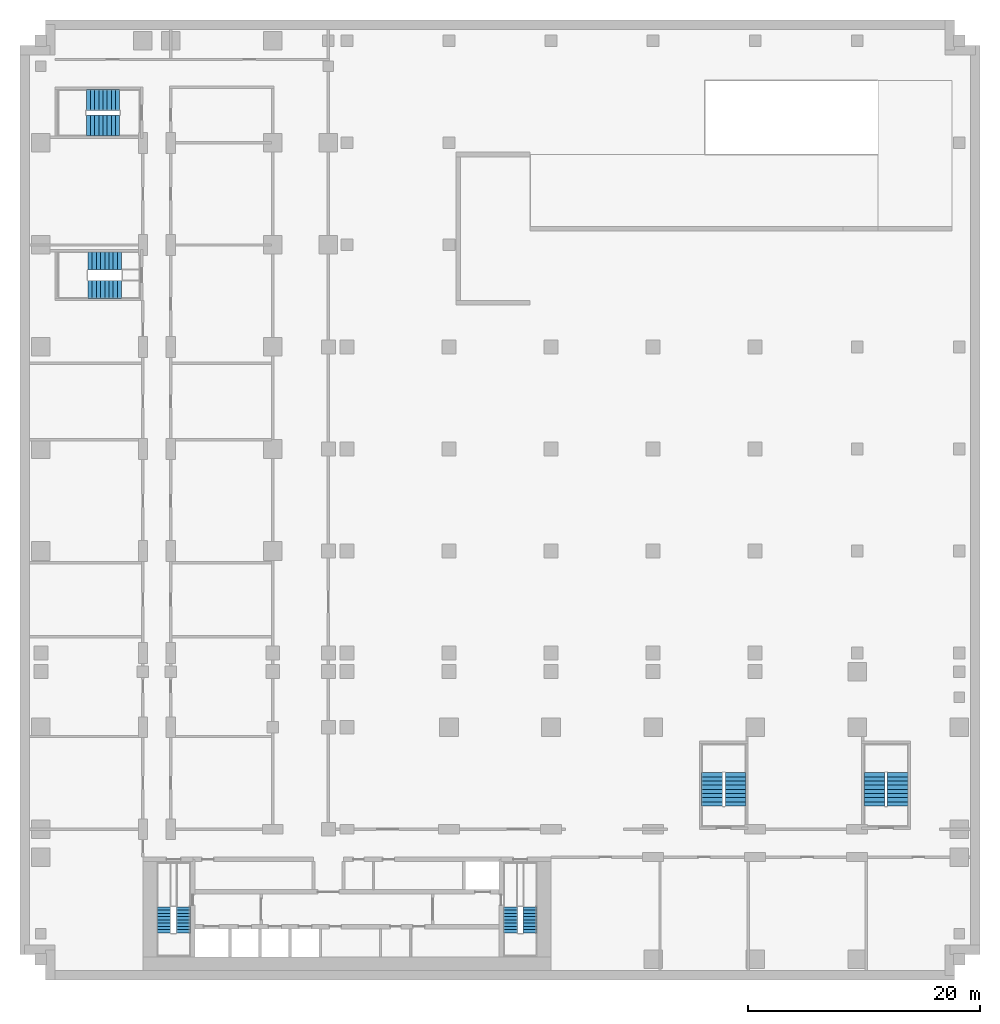
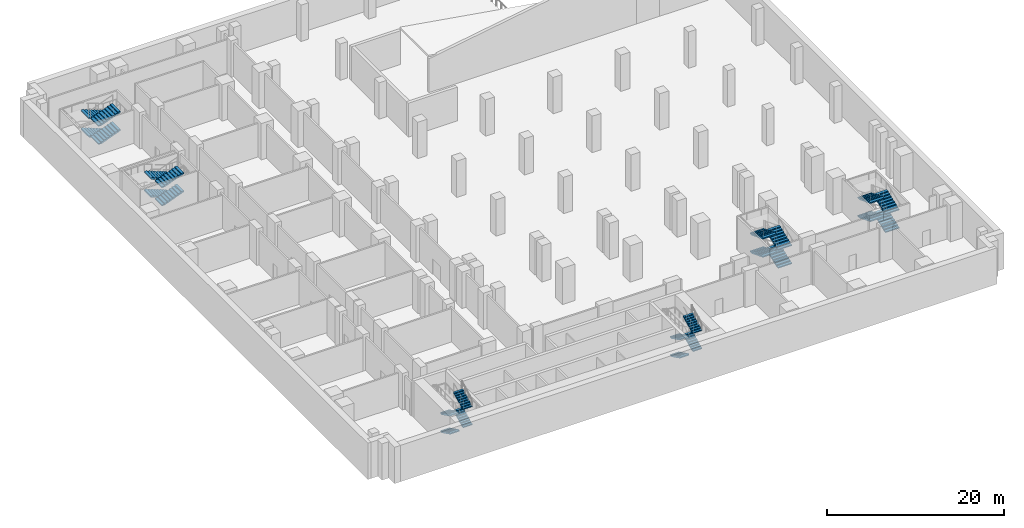
# One storey, part 8 of 12: 24 stair flights, 6 elements without a shape of their own.
"""IFC4 building model written with IfcOpenShell, lengths in metres."""

from ifc_helpers import new_model, si_unit, direction, frame, origin, place, context, subcontext, project, spatial, polyline, outline, extrude, material, type_object, element, aggregate, save


model = new_model("IFC4")

# Units and contexts
model_context = context("Model", 3, precision=1e-05, world=origin(), true_north=direction((0.0, 1.0)))
body_context = subcontext(model_context, "Body", "Model", "MODEL_VIEW")
ifc_project = project(units=[si_unit("LENGTHUNIT", "METRE"), si_unit("AREAUNIT", "SQUARE_METRE"), si_unit("VOLUMEUNIT", "CUBIC_METRE"), si_unit("PLANEANGLEUNIT", "RADIAN"), si_unit("MASSUNIT", "GRAM", prefix="KILO")], contexts=[model_context])

# Site, building, storey
site_placement = place(None, origin())
site = spatial("IfcSite", under=ifc_project, at=site_placement, CompositionType="ELEMENT")
building_placement = place(site_placement, origin())
building = spatial("IfcBuilding", under=site, at=building_placement, Name="Kemantara Hotel Tower", CompositionType="ELEMENT")
storey_placement = place(building_placement, frame((0.0, 0.0, -12.0)))
storey = spatial("IfcBuildingStorey", under=building, at=storey_placement, Name="B2", CompositionType="ELEMENT", Elevation=-12.0)

# Stair, stair flights
ifc_material = material(Name="Concrete fc 40 MPa", Category="concrete")
stair_type_1 = type_object("IfcStairType", Name="Stair 1200 wide 36 risers of 139 x 280 mm", PredefinedType="HALF_TURN_STAIR", material=ifc_material)
stair_1_placement = place(storey_placement, origin())
stair_1 = element("IfcStair", 1, at=stair_1_placement, inside=storey, type_object=stair_type_1, Name="B2 Exit stair ST1", PredefinedType="HALF_TURN_STAIR")
stair_flight_type_1 = type_object("IfcStairFlightType", Name="Stair flight 1200 wide 139 x 280 mm", PredefinedType="STRAIGHT", material=ifc_material)
stair_flight_1_placement = place(storey_placement, frame((11.60009765625, 5.5, 0.0), z_axis=(0.0, 0.0, 1.0), x_axis=(0.0, -1.0, 0.0)))
stair_flight_1 = element("IfcStairFlight", 2, at=stair_flight_1_placement, type_object=stair_flight_type_1, Name="ST1 flight 1", NumberOfRisers=9, NumberOfTreads=8, PredefinedType="STRAIGHT", RiserHeight=0.138888889, TreadLength=0.28, context=body_context, shape_type="SweptSolid", body=[
    extrude(outline(polyline([(0.0, 0.0), (0.0, 0.138916015625), (0.280029296875, 0.138916015625), (0.280029296875, 0.27783203125), (0.56005859375, 0.27783203125), (0.56005859375, 0.416748046875), (0.840087890625, 0.416748046875), (0.840087890625, 0.5556640625), (1.1201171875, 0.5556640625), (1.1201171875, 0.6943359375), (1.39990234375, 0.6943359375), (1.39990234375, 0.833251953125), (1.679931640625, 0.833251953125), (1.679931640625, 0.97216796875), (1.9599609375, 0.97216796875), (1.9599609375, 1.111083984375), (2.239990234375, 1.111083984375), (2.239990234375, 1.25), (2.239990234375, 0.94384765625), (0.33740234375, 0.0), (0.0, 0.0)])), frame((0.0, 0.60009765625, 0.0), z_axis=(0.0, -1.0, 0.0), x_axis=(1.0, 0.0, 0.0)), (0.0, 0.0, 1.0), 1.199951171875),
])
stair_flight_2_placement = place(storey_placement, frame((13.300048828125, 3.260009765625, 1.25), z_axis=(0.0, 0.0, 1.0), x_axis=(0.0, 1.0, 0.0)))
stair_flight_2 = element("IfcStairFlight", 3, at=stair_flight_2_placement, type_object=stair_flight_type_1, Name="ST1 flight 2", NumberOfRisers=9, NumberOfTreads=8, PredefinedType="STRAIGHT", RiserHeight=0.138888889, TreadLength=0.28, context=body_context, shape_type="SweptSolid", body=[
    extrude(outline(polyline([(0.0, 0.0), (0.0, 0.138916015625), (0.280029296875, 0.138916015625), (0.280029296875, 0.27783203125), (0.56005859375, 0.27783203125), (0.56005859375, 0.416748046875), (0.840087890625, 0.416748046875), (0.840087890625, 0.5556640625), (1.1201171875, 0.5556640625), (1.1201171875, 0.6943359375), (1.39990234375, 0.6943359375), (1.39990234375, 0.833251953125), (1.679931640625, 0.833251953125), (1.679931640625, 0.97216796875), (1.9599609375, 0.97216796875), (1.9599609375, 1.111083984375), (2.239990234375, 1.111083984375), (2.239990234375, 1.25), (2.239990234375, 0.94384765625), (0.33740234375, 0.0), (0.0, 0.0)])), frame((0.0, 0.60009765625, 0.0), z_axis=(0.0, -1.0, 0.0), x_axis=(1.0, 0.0, 0.0)), (0.0, 0.0, 1.0), 1.199951171875),
])
stair_flight_3_placement = place(storey_placement, frame((11.60009765625, 5.5, 2.5), z_axis=(0.0, 0.0, 1.0), x_axis=(0.0, -1.0, 0.0)))
stair_flight_3 = element("IfcStairFlight", 4, at=stair_flight_3_placement, type_object=stair_flight_type_1, Name="ST1 flight 3", NumberOfRisers=9, NumberOfTreads=8, PredefinedType="STRAIGHT", RiserHeight=0.138888889, TreadLength=0.28, context=body_context, shape_type="SweptSolid", body=[
    extrude(outline(polyline([(0.0, 0.0), (0.0, 0.138916015625), (0.280029296875, 0.138916015625), (0.280029296875, 0.27783203125), (0.56005859375, 0.27783203125), (0.56005859375, 0.416748046875), (0.840087890625, 0.416748046875), (0.840087890625, 0.5556640625), (1.1201171875, 0.5556640625), (1.1201171875, 0.6943359375), (1.39990234375, 0.6943359375), (1.39990234375, 0.833251953125), (1.679931640625, 0.833251953125), (1.679931640625, 0.97216796875), (1.9599609375, 0.97216796875), (1.9599609375, 1.111083984375), (2.239990234375, 1.111083984375), (2.239990234375, 1.25), (2.239990234375, 0.94384765625), (0.33740234375, 0.0), (0.0, 0.0)])), frame((0.0, 0.60009765625, 0.0), z_axis=(0.0, -1.0, 0.0), x_axis=(1.0, 0.0, 0.0)), (0.0, 0.0, 1.0), 1.199951171875),
])
stair_flight_4_placement = place(storey_placement, frame((13.300048828125, 3.260009765625, 3.75), z_axis=(0.0, 0.0, 1.0), x_axis=(0.0, 1.0, 0.0)))
stair_flight_4 = element("IfcStairFlight", 5, at=stair_flight_4_placement, type_object=stair_flight_type_1, Name="ST1 flight 4", NumberOfRisers=9, NumberOfTreads=8, PredefinedType="STRAIGHT", RiserHeight=0.138888889, TreadLength=0.28, context=body_context, shape_type="SweptSolid", body=[
    extrude(outline(polyline([(0.0, 0.0), (0.0, 0.138916015625), (0.280029296875, 0.138916015625), (0.280029296875, 0.27783203125), (0.56005859375, 0.27783203125), (0.56005859375, 0.416748046875), (0.840087890625, 0.416748046875), (0.840087890625, 0.5556640625), (1.1201171875, 0.5556640625), (1.1201171875, 0.6943359375), (1.39990234375, 0.6943359375), (1.39990234375, 0.833251953125), (1.679931640625, 0.833251953125), (1.679931640625, 0.97216796875), (1.9599609375, 0.97216796875), (1.9599609375, 1.111083984375), (2.239990234375, 1.111083984375), (2.239990234375, 1.25), (2.239990234375, 0.94384765625), (0.33740234375, 0.0), (0.0, 0.0)])), frame((0.0, 0.60009765625, 0.0), z_axis=(0.0, -1.0, 0.0), x_axis=(1.0, 0.0, 0.0)), (0.0, 0.0, 1.0), 1.199951171875),
])
aggregate(stair_1, [stair_flight_1, stair_flight_2, stair_flight_3, stair_flight_4])

stair_2_placement = place(storey_placement, origin())
stair_2 = element("IfcStair", 6, at=stair_2_placement, inside=storey, type_object=stair_type_1, Name="B2 Exit stair ST2", PredefinedType="HALF_TURN_STAIR")
stair_flight_5_placement = place(storey_placement, frame((41.5, 5.5, 0.0), z_axis=(0.0, 0.0, 1.0), x_axis=(0.0, -1.0, 0.0)))
stair_flight_5 = element("IfcStairFlight", 7, at=stair_flight_5_placement, type_object=stair_flight_type_1, Name="ST2 flight 1", NumberOfRisers=9, NumberOfTreads=8, PredefinedType="STRAIGHT", RiserHeight=0.138888889, TreadLength=0.28, context=body_context, shape_type="SweptSolid", body=[
    extrude(outline(polyline([(0.0, 0.0), (0.0, 0.138916015625), (0.280029296875, 0.138916015625), (0.280029296875, 0.27783203125), (0.56005859375, 0.27783203125), (0.56005859375, 0.416748046875), (0.840087890625, 0.416748046875), (0.840087890625, 0.5556640625), (1.1201171875, 0.5556640625), (1.1201171875, 0.6943359375), (1.39990234375, 0.6943359375), (1.39990234375, 0.833251953125), (1.679931640625, 0.833251953125), (1.679931640625, 0.97216796875), (1.9599609375, 0.97216796875), (1.9599609375, 1.111083984375), (2.239990234375, 1.111083984375), (2.239990234375, 1.25), (2.239990234375, 0.94384765625), (0.33740234375, 0.0), (0.0, 0.0)])), frame((0.0, 0.60009765625, 0.0), z_axis=(0.0, -1.0, 0.0), x_axis=(1.0, 0.0, 0.0)), (0.0, 0.0, 1.0), 1.199951171875),
])
stair_flight_6_placement = place(storey_placement, frame((43.199951171875, 3.260009765625, 1.25), z_axis=(0.0, 0.0, 1.0), x_axis=(0.0, 1.0, 0.0)))
stair_flight_6 = element("IfcStairFlight", 8, at=stair_flight_6_placement, type_object=stair_flight_type_1, Name="ST2 flight 2", NumberOfRisers=9, NumberOfTreads=8, PredefinedType="STRAIGHT", RiserHeight=0.138888889, TreadLength=0.28, context=body_context, shape_type="SweptSolid", body=[
    extrude(outline(polyline([(0.0, 0.0), (0.0, 0.138916015625), (0.280029296875, 0.138916015625), (0.280029296875, 0.27783203125), (0.56005859375, 0.27783203125), (0.56005859375, 0.416748046875), (0.840087890625, 0.416748046875), (0.840087890625, 0.5556640625), (1.1201171875, 0.5556640625), (1.1201171875, 0.6943359375), (1.39990234375, 0.6943359375), (1.39990234375, 0.833251953125), (1.679931640625, 0.833251953125), (1.679931640625, 0.97216796875), (1.9599609375, 0.97216796875), (1.9599609375, 1.111083984375), (2.239990234375, 1.111083984375), (2.239990234375, 1.25), (2.239990234375, 0.94384765625), (0.33740234375, 0.0), (0.0, 0.0)])), frame((0.0, 0.60009765625, 0.0), z_axis=(0.0, -1.0, 0.0), x_axis=(1.0, 0.0, 0.0)), (0.0, 0.0, 1.0), 1.199951171875),
])
stair_flight_7_placement = place(storey_placement, frame((41.5, 5.5, 2.5), z_axis=(0.0, 0.0, 1.0), x_axis=(0.0, -1.0, 0.0)))
stair_flight_7 = element("IfcStairFlight", 9, at=stair_flight_7_placement, type_object=stair_flight_type_1, Name="ST2 flight 3", NumberOfRisers=9, NumberOfTreads=8, PredefinedType="STRAIGHT", RiserHeight=0.138888889, TreadLength=0.28, context=body_context, shape_type="SweptSolid", body=[
    extrude(outline(polyline([(0.0, 0.0), (0.0, 0.138916015625), (0.280029296875, 0.138916015625), (0.280029296875, 0.27783203125), (0.56005859375, 0.27783203125), (0.56005859375, 0.416748046875), (0.840087890625, 0.416748046875), (0.840087890625, 0.5556640625), (1.1201171875, 0.5556640625), (1.1201171875, 0.6943359375), (1.39990234375, 0.6943359375), (1.39990234375, 0.833251953125), (1.679931640625, 0.833251953125), (1.679931640625, 0.97216796875), (1.9599609375, 0.97216796875), (1.9599609375, 1.111083984375), (2.239990234375, 1.111083984375), (2.239990234375, 1.25), (2.239990234375, 0.94384765625), (0.33740234375, 0.0), (0.0, 0.0)])), frame((0.0, 0.60009765625, 0.0), z_axis=(0.0, -1.0, 0.0), x_axis=(1.0, 0.0, 0.0)), (0.0, 0.0, 1.0), 1.199951171875),
])
stair_flight_8_placement = place(storey_placement, frame((43.199951171875, 3.260009765625, 3.75), z_axis=(0.0, 0.0, 1.0), x_axis=(0.0, 1.0, 0.0)))
stair_flight_8 = element("IfcStairFlight", 10, at=stair_flight_8_placement, type_object=stair_flight_type_1, Name="ST2 flight 4", NumberOfRisers=9, NumberOfTreads=8, PredefinedType="STRAIGHT", RiserHeight=0.138888889, TreadLength=0.28, context=body_context, shape_type="SweptSolid", body=[
    extrude(outline(polyline([(0.0, 0.0), (0.0, 0.138916015625), (0.280029296875, 0.138916015625), (0.280029296875, 0.27783203125), (0.56005859375, 0.27783203125), (0.56005859375, 0.416748046875), (0.840087890625, 0.416748046875), (0.840087890625, 0.5556640625), (1.1201171875, 0.5556640625), (1.1201171875, 0.6943359375), (1.39990234375, 0.6943359375), (1.39990234375, 0.833251953125), (1.679931640625, 0.833251953125), (1.679931640625, 0.97216796875), (1.9599609375, 0.97216796875), (1.9599609375, 1.111083984375), (2.239990234375, 1.111083984375), (2.239990234375, 1.25), (2.239990234375, 0.94384765625), (0.33740234375, 0.0), (0.0, 0.0)])), frame((0.0, 0.60009765625, 0.0), z_axis=(0.0, -1.0, 0.0), x_axis=(1.0, 0.0, 0.0)), (0.0, 0.0, 1.0), 1.199951171875),
])
aggregate(stair_2, [stair_flight_5, stair_flight_6, stair_flight_7, stair_flight_8])

stair_type_2 = type_object("IfcStairType", Name="Stair 1550 wide 36 risers of 139 x 360 mm", PredefinedType="HALF_TURN_STAIR", material=ifc_material)
stair_3_placement = place(storey_placement, origin())
stair_3 = element("IfcStair", 11, at=stair_3_placement, inside=storey, type_object=stair_type_2, Name="B2 Exit stair ST4", PredefinedType="HALF_TURN_STAIR")
stair_flight_type_2 = type_object("IfcStairFlightType", Name="Stair flight 1550 wide 139 x 360 mm", PredefinedType="STRAIGHT", material=ifc_material)
stair_flight_9_placement = place(storey_placement, frame((7.949951171875, 61.22509765625, 0.0), z_axis=(0.0, 0.0, 1.0), x_axis=(-1.0, 0.0, 0.0)))
stair_flight_9 = element("IfcStairFlight", 12, at=stair_flight_9_placement, type_object=stair_flight_type_2, Name="ST4 flight 1", NumberOfRisers=9, NumberOfTreads=8, PredefinedType="STRAIGHT", RiserHeight=0.138888889, TreadLength=0.36, context=body_context, shape_type="SweptSolid", body=[
    extrude(outline(polyline([(0.0, 0.0), (0.0, 0.138916015625), (0.360107421875, 0.138916015625), (0.360107421875, 0.27783203125), (0.719970703125, 0.27783203125), (0.719970703125, 0.416748046875), (1.080078125, 0.416748046875), (1.080078125, 0.5556640625), (1.43994140625, 0.5556640625), (1.43994140625, 0.6943359375), (1.800048828125, 0.6943359375), (1.800048828125, 0.833251953125), (2.159912109375, 0.833251953125), (2.159912109375, 0.97216796875), (2.52001953125, 0.97216796875), (2.52001953125, 1.111083984375), (2.8798828125, 1.111083984375), (2.8798828125, 1.25), (2.8798828125, 0.950439453125), (0.41650390625, 0.0), (0.0, 0.0)])), frame((0.0, 0.77490234375, 0.0), z_axis=(0.0, -1.0, 0.0), x_axis=(1.0, 0.0, 0.0)), (0.0, 0.0, 1.0), 1.550048828125),
])
stair_flight_10_placement = place(storey_placement, frame((5.070068359375, 58.77490234375, 1.25), z_axis=(0.0, 0.0, 1.0), x_axis=(1.0, 0.0, 0.0)))
stair_flight_10 = element("IfcStairFlight", 13, at=stair_flight_10_placement, type_object=stair_flight_type_2, Name="ST4 flight 2", NumberOfRisers=9, NumberOfTreads=8, PredefinedType="STRAIGHT", RiserHeight=0.138888889, TreadLength=0.36, context=body_context, shape_type="SweptSolid", body=[
    extrude(outline(polyline([(0.0, 0.0), (0.0, 0.138916015625), (0.360107421875, 0.138916015625), (0.360107421875, 0.27783203125), (0.719970703125, 0.27783203125), (0.719970703125, 0.416748046875), (1.080078125, 0.416748046875), (1.080078125, 0.5556640625), (1.43994140625, 0.5556640625), (1.43994140625, 0.6943359375), (1.800048828125, 0.6943359375), (1.800048828125, 0.833251953125), (2.159912109375, 0.833251953125), (2.159912109375, 0.97216796875), (2.52001953125, 0.97216796875), (2.52001953125, 1.111083984375), (2.8798828125, 1.111083984375), (2.8798828125, 1.25), (2.8798828125, 0.950439453125), (0.41650390625, 0.0), (0.0, 0.0)])), frame((0.0, 0.77490234375, 0.0), z_axis=(0.0, -1.0, 0.0), x_axis=(1.0, 0.0, 0.0)), (0.0, 0.0, 1.0), 1.550048828125),
])
stair_flight_11_placement = place(storey_placement, frame((7.949951171875, 61.22509765625, 2.5), z_axis=(0.0, 0.0, 1.0), x_axis=(-1.0, 0.0, 0.0)))
stair_flight_11 = element("IfcStairFlight", 14, at=stair_flight_11_placement, type_object=stair_flight_type_2, Name="ST4 flight 3", NumberOfRisers=9, NumberOfTreads=8, PredefinedType="STRAIGHT", RiserHeight=0.138888889, TreadLength=0.36, context=body_context, shape_type="SweptSolid", body=[
    extrude(outline(polyline([(0.0, 0.0), (0.0, 0.138916015625), (0.360107421875, 0.138916015625), (0.360107421875, 0.27783203125), (0.719970703125, 0.27783203125), (0.719970703125, 0.416748046875), (1.080078125, 0.416748046875), (1.080078125, 0.5556640625), (1.43994140625, 0.5556640625), (1.43994140625, 0.6943359375), (1.800048828125, 0.6943359375), (1.800048828125, 0.833251953125), (2.159912109375, 0.833251953125), (2.159912109375, 0.97216796875), (2.52001953125, 0.97216796875), (2.52001953125, 1.111083984375), (2.8798828125, 1.111083984375), (2.8798828125, 1.25), (2.8798828125, 0.950439453125), (0.41650390625, 0.0), (0.0, 0.0)])), frame((0.0, 0.77490234375, 0.0), z_axis=(0.0, -1.0, 0.0), x_axis=(1.0, 0.0, 0.0)), (0.0, 0.0, 1.0), 1.550048828125),
])
stair_flight_12_placement = place(storey_placement, frame((5.070068359375, 58.77490234375, 3.75), z_axis=(0.0, 0.0, 1.0), x_axis=(1.0, 0.0, 0.0)))
stair_flight_12 = element("IfcStairFlight", 15, at=stair_flight_12_placement, type_object=stair_flight_type_2, Name="ST4 flight 4", NumberOfRisers=9, NumberOfTreads=8, PredefinedType="STRAIGHT", RiserHeight=0.138888889, TreadLength=0.36, context=body_context, shape_type="SweptSolid", body=[
    extrude(outline(polyline([(0.0, 0.0), (0.0, 0.138916015625), (0.360107421875, 0.138916015625), (0.360107421875, 0.27783203125), (0.719970703125, 0.27783203125), (0.719970703125, 0.416748046875), (1.080078125, 0.416748046875), (1.080078125, 0.5556640625), (1.43994140625, 0.5556640625), (1.43994140625, 0.6943359375), (1.800048828125, 0.6943359375), (1.800048828125, 0.833251953125), (2.159912109375, 0.833251953125), (2.159912109375, 0.97216796875), (2.52001953125, 0.97216796875), (2.52001953125, 1.111083984375), (2.8798828125, 1.111083984375), (2.8798828125, 1.25), (2.8798828125, 0.950439453125), (0.41650390625, 0.0), (0.0, 0.0)])), frame((0.0, 0.77490234375, 0.0), z_axis=(0.0, -1.0, 0.0), x_axis=(1.0, 0.0, 0.0)), (0.0, 0.0, 1.0), 1.550048828125),
])
aggregate(stair_3, [stair_flight_9, stair_flight_10, stair_flight_11, stair_flight_12])

stair_type_3 = type_object("IfcStairType", Name="Stair 1800 wide 36 risers of 139 x 360 mm", PredefinedType="HALF_TURN_STAIR", material=ifc_material)
stair_4_placement = place(storey_placement, origin())
stair_4 = element("IfcStair", 16, at=stair_4_placement, inside=storey, type_object=stair_type_3, Name="B2 Exit stair ST3", PredefinedType="HALF_TURN_STAIR")
stair_flight_type_3 = type_object("IfcStairFlightType", Name="Stair flight 1800 wide 139 x 360 mm", PredefinedType="STRAIGHT", material=ifc_material)
stair_flight_13_placement = place(storey_placement, frame((60.89990234375, 14.199951171875, 0.0), z_axis=(0.0, 0.0, 1.0), x_axis=(0.0, 1.0, 0.0)))
stair_flight_13 = element("IfcStairFlight", 17, at=stair_flight_13_placement, type_object=stair_flight_type_3, Name="ST3 flight 1", NumberOfRisers=9, NumberOfTreads=8, PredefinedType="STRAIGHT", RiserHeight=0.138888889, TreadLength=0.36, context=body_context, shape_type="SweptSolid", body=[
    extrude(outline(polyline([(0.0, 0.0), (0.0, 0.138916015625), (0.360107421875, 0.138916015625), (0.360107421875, 0.27783203125), (0.719970703125, 0.27783203125), (0.719970703125, 0.416748046875), (1.080078125, 0.416748046875), (1.080078125, 0.5556640625), (1.43994140625, 0.5556640625), (1.43994140625, 0.6943359375), (1.800048828125, 0.6943359375), (1.800048828125, 0.833251953125), (2.159912109375, 0.833251953125), (2.159912109375, 0.97216796875), (2.52001953125, 0.97216796875), (2.52001953125, 1.111083984375), (2.8798828125, 1.111083984375), (2.8798828125, 1.25), (2.8798828125, 0.950439453125), (0.41650390625, 0.0), (0.0, 0.0)])), frame((0.0, 0.89990234375, 0.0), z_axis=(0.0, -1.0, 0.0), x_axis=(1.0, 0.0, 0.0)), (0.0, 0.0, 1.0), 1.800048828125),
])
stair_flight_14_placement = place(storey_placement, frame((58.89990234375, 17.080078125, 1.25), z_axis=(0.0, 0.0, 1.0), x_axis=(0.0, -1.0, 0.0)))
stair_flight_14 = element("IfcStairFlight", 18, at=stair_flight_14_placement, type_object=stair_flight_type_3, Name="ST3 flight 2", NumberOfRisers=9, NumberOfTreads=8, PredefinedType="STRAIGHT", RiserHeight=0.138888889, TreadLength=0.36, context=body_context, shape_type="SweptSolid", body=[
    extrude(outline(polyline([(0.0, 0.0), (0.0, 0.138916015625), (0.360107421875, 0.138916015625), (0.360107421875, 0.27783203125), (0.719970703125, 0.27783203125), (0.719970703125, 0.416748046875), (1.080078125, 0.416748046875), (1.080078125, 0.5556640625), (1.43994140625, 0.5556640625), (1.43994140625, 0.6943359375), (1.800048828125, 0.6943359375), (1.800048828125, 0.833251953125), (2.159912109375, 0.833251953125), (2.159912109375, 0.97216796875), (2.52001953125, 0.97216796875), (2.52001953125, 1.111083984375), (2.8798828125, 1.111083984375), (2.8798828125, 1.25), (2.8798828125, 0.950439453125), (0.41650390625, 0.0), (0.0, 0.0)])), frame((0.0, 0.89990234375, 0.0), z_axis=(0.0, -1.0, 0.0), x_axis=(1.0, 0.0, 0.0)), (0.0, 0.0, 1.0), 1.800048828125),
])
stair_flight_15_placement = place(storey_placement, frame((60.89990234375, 14.199951171875, 2.5), z_axis=(0.0, 0.0, 1.0), x_axis=(0.0, 1.0, 0.0)))
stair_flight_15 = element("IfcStairFlight", 19, at=stair_flight_15_placement, type_object=stair_flight_type_3, Name="ST3 flight 3", NumberOfRisers=9, NumberOfTreads=8, PredefinedType="STRAIGHT", RiserHeight=0.138888889, TreadLength=0.36, context=body_context, shape_type="SweptSolid", body=[
    extrude(outline(polyline([(0.0, 0.0), (0.0, 0.138916015625), (0.360107421875, 0.138916015625), (0.360107421875, 0.27783203125), (0.719970703125, 0.27783203125), (0.719970703125, 0.416748046875), (1.080078125, 0.416748046875), (1.080078125, 0.5556640625), (1.43994140625, 0.5556640625), (1.43994140625, 0.6943359375), (1.800048828125, 0.6943359375), (1.800048828125, 0.833251953125), (2.159912109375, 0.833251953125), (2.159912109375, 0.97216796875), (2.52001953125, 0.97216796875), (2.52001953125, 1.111083984375), (2.8798828125, 1.111083984375), (2.8798828125, 1.25), (2.8798828125, 0.950439453125), (0.41650390625, 0.0), (0.0, 0.0)])), frame((0.0, 0.89990234375, 0.0), z_axis=(0.0, -1.0, 0.0), x_axis=(1.0, 0.0, 0.0)), (0.0, 0.0, 1.0), 1.800048828125),
])
stair_flight_16_placement = place(storey_placement, frame((58.89990234375, 17.080078125, 3.75), z_axis=(0.0, 0.0, 1.0), x_axis=(0.0, -1.0, 0.0)))
stair_flight_16 = element("IfcStairFlight", 20, at=stair_flight_16_placement, type_object=stair_flight_type_3, Name="ST3 flight 4", NumberOfRisers=9, NumberOfTreads=8, PredefinedType="STRAIGHT", RiserHeight=0.138888889, TreadLength=0.36, context=body_context, shape_type="SweptSolid", body=[
    extrude(outline(polyline([(0.0, 0.0), (0.0, 0.138916015625), (0.360107421875, 0.138916015625), (0.360107421875, 0.27783203125), (0.719970703125, 0.27783203125), (0.719970703125, 0.416748046875), (1.080078125, 0.416748046875), (1.080078125, 0.5556640625), (1.43994140625, 0.5556640625), (1.43994140625, 0.6943359375), (1.800048828125, 0.6943359375), (1.800048828125, 0.833251953125), (2.159912109375, 0.833251953125), (2.159912109375, 0.97216796875), (2.52001953125, 0.97216796875), (2.52001953125, 1.111083984375), (2.8798828125, 1.111083984375), (2.8798828125, 1.25), (2.8798828125, 0.950439453125), (0.41650390625, 0.0), (0.0, 0.0)])), frame((0.0, 0.89990234375, 0.0), z_axis=(0.0, -1.0, 0.0), x_axis=(1.0, 0.0, 0.0)), (0.0, 0.0, 1.0), 1.800048828125),
])
aggregate(stair_4, [stair_flight_13, stair_flight_14, stair_flight_15, stair_flight_16])

stair_5_placement = place(storey_placement, origin())
stair_5 = element("IfcStair", 21, at=stair_5_placement, inside=storey, type_object=stair_type_3, Name="B2 Exit stair ST5", PredefinedType="HALF_TURN_STAIR")
stair_flight_17_placement = place(storey_placement, frame((74.89990234375, 14.199951171875, 0.0), z_axis=(0.0, 0.0, 1.0), x_axis=(0.0, 1.0, 0.0)))
stair_flight_17 = element("IfcStairFlight", 22, at=stair_flight_17_placement, type_object=stair_flight_type_3, Name="ST5 flight 1", NumberOfRisers=9, NumberOfTreads=8, PredefinedType="STRAIGHT", RiserHeight=0.138888889, TreadLength=0.36, context=body_context, shape_type="SweptSolid", body=[
    extrude(outline(polyline([(0.0, 0.0), (0.0, 0.138916015625), (0.360107421875, 0.138916015625), (0.360107421875, 0.27783203125), (0.719970703125, 0.27783203125), (0.719970703125, 0.416748046875), (1.080078125, 0.416748046875), (1.080078125, 0.5556640625), (1.43994140625, 0.5556640625), (1.43994140625, 0.6943359375), (1.800048828125, 0.6943359375), (1.800048828125, 0.833251953125), (2.159912109375, 0.833251953125), (2.159912109375, 0.97216796875), (2.52001953125, 0.97216796875), (2.52001953125, 1.111083984375), (2.8798828125, 1.111083984375), (2.8798828125, 1.25), (2.8798828125, 0.950439453125), (0.41650390625, 0.0), (0.0, 0.0)])), frame((0.0, 0.89990234375, 0.0), z_axis=(0.0, -1.0, 0.0), x_axis=(1.0, 0.0, 0.0)), (0.0, 0.0, 1.0), 1.800048828125),
])
stair_flight_18_placement = place(storey_placement, frame((72.89990234375, 17.080078125, 1.25), z_axis=(0.0, 0.0, 1.0), x_axis=(0.0, -1.0, 0.0)))
stair_flight_18 = element("IfcStairFlight", 23, at=stair_flight_18_placement, type_object=stair_flight_type_3, Name="ST5 flight 2", NumberOfRisers=9, NumberOfTreads=8, PredefinedType="STRAIGHT", RiserHeight=0.138888889, TreadLength=0.36, context=body_context, shape_type="SweptSolid", body=[
    extrude(outline(polyline([(0.0, 0.0), (0.0, 0.138916015625), (0.360107421875, 0.138916015625), (0.360107421875, 0.27783203125), (0.719970703125, 0.27783203125), (0.719970703125, 0.416748046875), (1.080078125, 0.416748046875), (1.080078125, 0.5556640625), (1.43994140625, 0.5556640625), (1.43994140625, 0.6943359375), (1.800048828125, 0.6943359375), (1.800048828125, 0.833251953125), (2.159912109375, 0.833251953125), (2.159912109375, 0.97216796875), (2.52001953125, 0.97216796875), (2.52001953125, 1.111083984375), (2.8798828125, 1.111083984375), (2.8798828125, 1.25), (2.8798828125, 0.950439453125), (0.41650390625, 0.0), (0.0, 0.0)])), frame((0.0, 0.89990234375, 0.0), z_axis=(0.0, -1.0, 0.0), x_axis=(1.0, 0.0, 0.0)), (0.0, 0.0, 1.0), 1.800048828125),
])
stair_flight_19_placement = place(storey_placement, frame((74.89990234375, 14.199951171875, 2.5), z_axis=(0.0, 0.0, 1.0), x_axis=(0.0, 1.0, 0.0)))
stair_flight_19 = element("IfcStairFlight", 24, at=stair_flight_19_placement, type_object=stair_flight_type_3, Name="ST5 flight 3", NumberOfRisers=9, NumberOfTreads=8, PredefinedType="STRAIGHT", RiserHeight=0.138888889, TreadLength=0.36, context=body_context, shape_type="SweptSolid", body=[
    extrude(outline(polyline([(0.0, 0.0), (0.0, 0.138916015625), (0.360107421875, 0.138916015625), (0.360107421875, 0.27783203125), (0.719970703125, 0.27783203125), (0.719970703125, 0.416748046875), (1.080078125, 0.416748046875), (1.080078125, 0.5556640625), (1.43994140625, 0.5556640625), (1.43994140625, 0.6943359375), (1.800048828125, 0.6943359375), (1.800048828125, 0.833251953125), (2.159912109375, 0.833251953125), (2.159912109375, 0.97216796875), (2.52001953125, 0.97216796875), (2.52001953125, 1.111083984375), (2.8798828125, 1.111083984375), (2.8798828125, 1.25), (2.8798828125, 0.950439453125), (0.41650390625, 0.0), (0.0, 0.0)])), frame((0.0, 0.89990234375, 0.0), z_axis=(0.0, -1.0, 0.0), x_axis=(1.0, 0.0, 0.0)), (0.0, 0.0, 1.0), 1.800048828125),
])
stair_flight_20_placement = place(storey_placement, frame((72.89990234375, 17.080078125, 3.75), z_axis=(0.0, 0.0, 1.0), x_axis=(0.0, -1.0, 0.0)))
stair_flight_20 = element("IfcStairFlight", 25, at=stair_flight_20_placement, type_object=stair_flight_type_3, Name="ST5 flight 4", NumberOfRisers=9, NumberOfTreads=8, PredefinedType="STRAIGHT", RiserHeight=0.138888889, TreadLength=0.36, context=body_context, shape_type="SweptSolid", body=[
    extrude(outline(polyline([(0.0, 0.0), (0.0, 0.138916015625), (0.360107421875, 0.138916015625), (0.360107421875, 0.27783203125), (0.719970703125, 0.27783203125), (0.719970703125, 0.416748046875), (1.080078125, 0.416748046875), (1.080078125, 0.5556640625), (1.43994140625, 0.5556640625), (1.43994140625, 0.6943359375), (1.800048828125, 0.6943359375), (1.800048828125, 0.833251953125), (2.159912109375, 0.833251953125), (2.159912109375, 0.97216796875), (2.52001953125, 0.97216796875), (2.52001953125, 1.111083984375), (2.8798828125, 1.111083984375), (2.8798828125, 1.25), (2.8798828125, 0.950439453125), (0.41650390625, 0.0), (0.0, 0.0)])), frame((0.0, 0.89990234375, 0.0), z_axis=(0.0, -1.0, 0.0), x_axis=(1.0, 0.0, 0.0)), (0.0, 0.0, 1.0), 1.800048828125),
])
aggregate(stair_5, [stair_flight_17, stair_flight_18, stair_flight_19, stair_flight_20])

stair_6_placement = place(storey_placement, origin())
stair_6 = element("IfcStair", 26, at=stair_6_placement, inside=storey, type_object=stair_type_3, Name="B2 Exit stair ST6", PredefinedType="HALF_TURN_STAIR")
stair_flight_21_placement = place(storey_placement, frame((7.800048828125, 75.10009765625, 0.0), z_axis=(0.0, 0.0, 1.0), x_axis=(-1.0, 0.0, 0.0)))
stair_flight_21 = element("IfcStairFlight", 27, at=stair_flight_21_placement, type_object=stair_flight_type_3, Name="ST6 flight 1", NumberOfRisers=9, NumberOfTreads=8, PredefinedType="STRAIGHT", RiserHeight=0.138888889, TreadLength=0.36, context=body_context, shape_type="SweptSolid", body=[
    extrude(outline(polyline([(0.0, 0.0), (0.0, 0.138916015625), (0.360107421875, 0.138916015625), (0.360107421875, 0.27783203125), (0.719970703125, 0.27783203125), (0.719970703125, 0.416748046875), (1.080078125, 0.416748046875), (1.080078125, 0.5556640625), (1.43994140625, 0.5556640625), (1.43994140625, 0.6943359375), (1.800048828125, 0.6943359375), (1.800048828125, 0.833251953125), (2.159912109375, 0.833251953125), (2.159912109375, 0.97216796875), (2.52001953125, 0.97216796875), (2.52001953125, 1.111083984375), (2.8798828125, 1.111083984375), (2.8798828125, 1.25), (2.8798828125, 0.950439453125), (0.41650390625, 0.0), (0.0, 0.0)])), frame((0.0, 0.89990234375, 0.0), z_axis=(0.0, -1.0, 0.0), x_axis=(1.0, 0.0, 0.0)), (0.0, 0.0, 1.0), 1.800048828125),
])
stair_flight_22_placement = place(storey_placement, frame((4.919921875, 72.89990234375, 1.25), z_axis=(0.0, 0.0, 1.0), x_axis=(1.0, 0.0, 0.0)))
stair_flight_22 = element("IfcStairFlight", 28, at=stair_flight_22_placement, type_object=stair_flight_type_3, Name="ST6 flight 2", NumberOfRisers=9, NumberOfTreads=8, PredefinedType="STRAIGHT", RiserHeight=0.138888889, TreadLength=0.36, context=body_context, shape_type="SweptSolid", body=[
    extrude(outline(polyline([(0.0, 0.0), (0.0, 0.138916015625), (0.360107421875, 0.138916015625), (0.360107421875, 0.27783203125), (0.719970703125, 0.27783203125), (0.719970703125, 0.416748046875), (1.080078125, 0.416748046875), (1.080078125, 0.5556640625), (1.43994140625, 0.5556640625), (1.43994140625, 0.6943359375), (1.800048828125, 0.6943359375), (1.800048828125, 0.833251953125), (2.159912109375, 0.833251953125), (2.159912109375, 0.97216796875), (2.52001953125, 0.97216796875), (2.52001953125, 1.111083984375), (2.8798828125, 1.111083984375), (2.8798828125, 1.25), (2.8798828125, 0.950439453125), (0.41650390625, 0.0), (0.0, 0.0)])), frame((0.0, 0.89990234375, 0.0), z_axis=(0.0, -1.0, 0.0), x_axis=(1.0, 0.0, 0.0)), (0.0, 0.0, 1.0), 1.800048828125),
])
stair_flight_23_placement = place(storey_placement, frame((7.800048828125, 75.10009765625, 2.5), z_axis=(0.0, 0.0, 1.0), x_axis=(-1.0, 0.0, 0.0)))
stair_flight_23 = element("IfcStairFlight", 29, at=stair_flight_23_placement, type_object=stair_flight_type_3, Name="ST6 flight 3", NumberOfRisers=9, NumberOfTreads=8, PredefinedType="STRAIGHT", RiserHeight=0.138888889, TreadLength=0.36, context=body_context, shape_type="SweptSolid", body=[
    extrude(outline(polyline([(0.0, 0.0), (0.0, 0.138916015625), (0.360107421875, 0.138916015625), (0.360107421875, 0.27783203125), (0.719970703125, 0.27783203125), (0.719970703125, 0.416748046875), (1.080078125, 0.416748046875), (1.080078125, 0.5556640625), (1.43994140625, 0.5556640625), (1.43994140625, 0.6943359375), (1.800048828125, 0.6943359375), (1.800048828125, 0.833251953125), (2.159912109375, 0.833251953125), (2.159912109375, 0.97216796875), (2.52001953125, 0.97216796875), (2.52001953125, 1.111083984375), (2.8798828125, 1.111083984375), (2.8798828125, 1.25), (2.8798828125, 0.950439453125), (0.41650390625, 0.0), (0.0, 0.0)])), frame((0.0, 0.89990234375, 0.0), z_axis=(0.0, -1.0, 0.0), x_axis=(1.0, 0.0, 0.0)), (0.0, 0.0, 1.0), 1.800048828125),
])
stair_flight_24_placement = place(storey_placement, frame((4.919921875, 72.89990234375, 3.75), z_axis=(0.0, 0.0, 1.0), x_axis=(1.0, 0.0, 0.0)))
stair_flight_24 = element("IfcStairFlight", 30, at=stair_flight_24_placement, type_object=stair_flight_type_3, Name="ST6 flight 4", NumberOfRisers=9, NumberOfTreads=8, PredefinedType="STRAIGHT", RiserHeight=0.138888889, TreadLength=0.36, context=body_context, shape_type="SweptSolid", body=[
    extrude(outline(polyline([(0.0, 0.0), (0.0, 0.138916015625), (0.360107421875, 0.138916015625), (0.360107421875, 0.27783203125), (0.719970703125, 0.27783203125), (0.719970703125, 0.416748046875), (1.080078125, 0.416748046875), (1.080078125, 0.5556640625), (1.43994140625, 0.5556640625), (1.43994140625, 0.6943359375), (1.800048828125, 0.6943359375), (1.800048828125, 0.833251953125), (2.159912109375, 0.833251953125), (2.159912109375, 0.97216796875), (2.52001953125, 0.97216796875), (2.52001953125, 1.111083984375), (2.8798828125, 1.111083984375), (2.8798828125, 1.25), (2.8798828125, 0.950439453125), (0.41650390625, 0.0), (0.0, 0.0)])), frame((0.0, 0.89990234375, 0.0), z_axis=(0.0, -1.0, 0.0), x_axis=(1.0, 0.0, 0.0)), (0.0, 0.0, 1.0), 1.800048828125),
])
aggregate(stair_6, [stair_flight_21, stair_flight_22, stair_flight_23, stair_flight_24])

save(model, "model.ifc")
